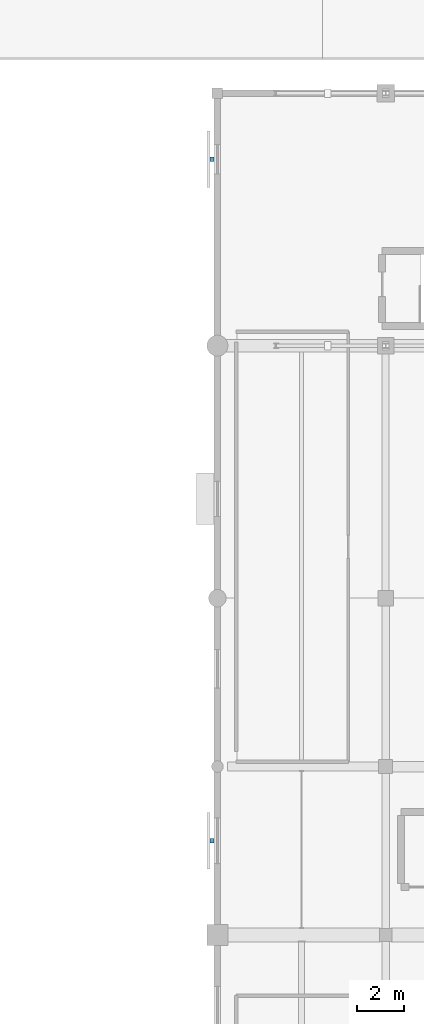
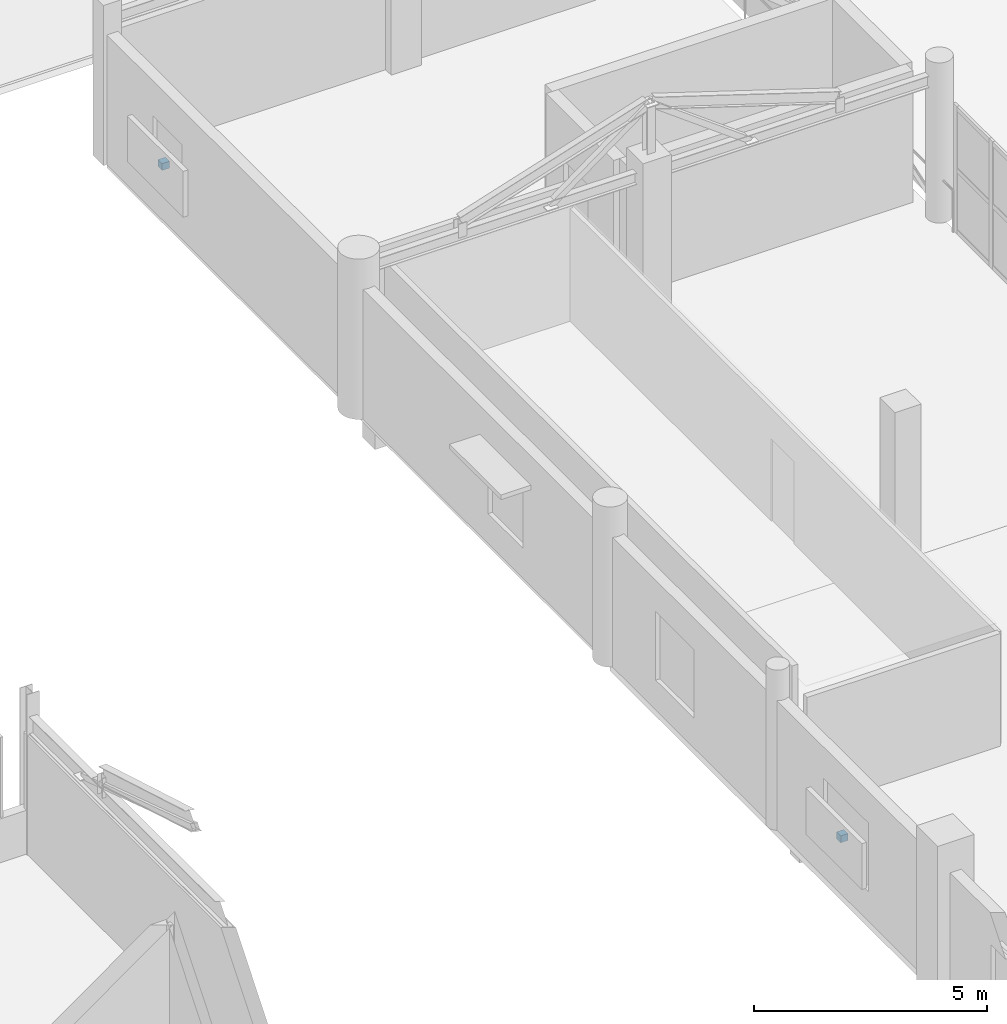
# One storey, part 80 of 90: 2 discrete accessories.
"""IFC4 building model written with IfcOpenShell, lengths in metres."""

import ifcopenshell
import ifcopenshell.guid

model = None  # the IFC model being written
_history = None  # IfcOwnerHistory: only IFC2X3 demands one
_inside = {}  # id of a spatial element -> (the spatial element, [elements in it])
_under = {}  # id of a project, library or spatial element -> (it, [spatial elements below it])
_declared = {}  # id of a project -> (the project, [libraries it declares])
_typed = {}  # id of a type object -> (the type object, [elements of that type])
_made_of = {}  # id of a material, layer set ... -> (it, [elements and type objects made of it])


def new_model(schema):
    """Start an empty IFC model of exactly this schema.

    Asked for "IFC4X3", IfcOpenShell would pick the latest addendum, in which some entities
    have other attributes; the version numbers below select the first issue.
    IFC2X3 requires an IfcOwnerHistory on every rooted entity: one is made here for all.
    """
    global model, _history
    if schema == "IFC4X3":
        model = ifcopenshell.file(schema_version=(4, 3, 0, 0))
    else:
        model = ifcopenshell.file(schema=schema)
    _inside.clear()
    _under.clear()
    _declared.clear()
    _typed.clear()
    _made_of.clear()
    _history = None
    if model.schema == "IFC2X3":
        org = make("IfcOrganization", Name="unknown")
        user = make(
            "IfcPersonAndOrganization",
            ThePerson=make("IfcPerson", FamilyName="unknown"),
            TheOrganization=org,
        )
        app = make(
            "IfcApplication",
            ApplicationDeveloper=org,
            Version="unknown",
            ApplicationFullName="unknown",
            ApplicationIdentifier="unknown",
        )
        _history = make(
            "IfcOwnerHistory",
            OwningUser=user,
            OwningApplication=app,
            ChangeAction="ADDED",
            CreationDate=0,
        )
    return model


def make(cls, **values):
    """One entity of the class cls with the attributes given. An attribute that is None is left unset."""
    return model.create_entity(
        cls, **{name: value for name, value in values.items() if value is not None}
    )


def rooted(cls, **values):
    """An entity with a GlobalId (a new one), such as an element, a storey or a relation."""
    return make(cls, GlobalId=ifcopenshell.guid.new(), OwnerHistory=_history, **values)


def si_unit(unit_type, name, prefix=None):
    """IfcSIUnit, for example si_unit("LENGTHUNIT", "METRE", prefix="MILLI")."""
    return make("IfcSIUnit", UnitType=unit_type, Prefix=prefix, Name=name)


def assignment(units):
    """IfcUnitAssignment: the units of a project."""
    return None if units is None else make("IfcUnitAssignment", Units=units)


def point(xyz):
    """IfcCartesianPoint."""
    return None if xyz is None else make("IfcCartesianPoint", Coordinates=xyz)


def direction(xyz):
    """IfcDirection."""
    return None if xyz is None else make("IfcDirection", DirectionRatios=xyz)


def frame(location, z_axis=None, x_axis=None):
    """IfcAxis2Placement3D, a coordinate frame: its origin and axes. An axis left out is left unset."""
    return make(
        "IfcAxis2Placement3D",
        Location=point(location),
        Axis=direction(z_axis),
        RefDirection=direction(x_axis),
    )


def frame_2d(location, x_axis=None):
    """IfcAxis2Placement2D, a coordinate frame in the plane: its origin and x axis."""
    return make(
        "IfcAxis2Placement2D", Location=point(location), RefDirection=direction(x_axis)
    )


def origin():
    """The frame at (0, 0, 0) with its axes left unset."""
    return frame((0.0, 0.0, 0.0))


def origin_2d():
    """The frame at (0, 0) in the plane with its x axis left unset."""
    return frame_2d((0.0, 0.0))


def place(relative_to, where):
    """IfcLocalPlacement: puts the frame where relative to a parent placement (None: the world)."""
    return make(
        "IfcLocalPlacement", PlacementRelTo=relative_to, RelativePlacement=where
    )


def context(
    kind, dimensions, precision=None, world=None, true_north=None, identifier=None
):
    """IfcGeometricRepresentationContext, for example the 3D "Model" context."""
    return make(
        "IfcGeometricRepresentationContext",
        ContextIdentifier=identifier,
        ContextType=kind,
        CoordinateSpaceDimension=dimensions,
        Precision=precision,
        WorldCoordinateSystem=world,
        TrueNorth=true_north,
    )


def subcontext(parent, identifier, kind, view, scale=None):
    """IfcGeometricRepresentationSubContext, for example "Body" below "Model"."""
    return make(
        "IfcGeometricRepresentationSubContext",
        ContextIdentifier=identifier,
        ContextType=kind,
        ParentContext=parent,
        TargetScale=scale,
        TargetView=view,
    )


def project(units=None, contexts=None):
    """IfcProject with its units and contexts."""
    return rooted(
        "IfcProject",
        Name="project",
        RepresentationContexts=contexts,
        UnitsInContext=assignment(units),
    )


def spatial(cls, under=None, at=None, **own):
    """A site, building, storey or space (cls), placed at a placement, below another one or the project."""
    s = rooted(cls, ObjectPlacement=at, **own)
    if under is not None:
        _under.setdefault(under.id(), (under, []))[1].append(s)
    return s


def profile(cls, at=None, kind="AREA", **sizes):
    """A parametric profile (cls). Its sizes go by their IFC names, for example OverallWidth=200.0."""
    return make(cls, ProfileType=kind, Position=at, **sizes)


def rectangle(**sizes):
    """IfcRectangleProfileDef."""
    return profile("IfcRectangleProfileDef", **sizes)


def extrude(swept, where, along, depth):
    """IfcExtrudedAreaSolid: the profile swept, set in the frame where, extruded along a direction by depth."""
    return make(
        "IfcExtrudedAreaSolid",
        SweptArea=swept,
        Position=where,
        ExtrudedDirection=direction(along),
        Depth=depth,
    )


def shape(context_of_items, identifier, shape_type, items):
    """IfcShapeRepresentation: the items that make up one representation, for example the "Body"."""
    return make(
        "IfcShapeRepresentation",
        ContextOfItems=context_of_items,
        RepresentationIdentifier=identifier,
        RepresentationType=shape_type,
        Items=items,
    )


def material(Name=None, Category=None):
    """IfcMaterial."""
    return make("IfcMaterial", Name=Name, Category=Category)


def made_of(thing, what):
    """Note that an element or type object is made of a material, layer set ...; save() writes the relation."""
    if what is not None:
        _made_of.setdefault(what.id(), (what, []))[1].append(thing)
    return thing


def type_object(cls, material=None, **own):
    """A type object (cls), such as IfcWallType, which elements share."""
    return made_of(rooted(cls, **own), material)


def element(
    cls,
    number,
    at=None,
    inside=None,
    cuts=None,
    type_object=None,
    material=None,
    context=None,
    identifier="Body",
    shape_type=None,
    held_by="IfcProductDefinitionShape",
    body=None,
    shapes=None,
    **own,
):
    """One element of the class cls, such as IfcWall. Its Tag is "e" and its number.

    at: its placement. inside: the storey or other place that contains it. cuts: it is an
    opening in that element (IfcRelVoidsElement). A single representation is given by context,
    identifier, shape_type and body (its items); several are given by shapes. held_by: the class
    of the entity that holds the representations. save() writes the other relations.
    """
    e = rooted(cls, Tag="e%d" % number, ObjectPlacement=at, **own)
    if body is not None:
        shapes = [shape(context, identifier, shape_type, body)]
    if shapes is not None:
        e.Representation = make(held_by, Representations=shapes)
    if inside is not None:
        _inside.setdefault(inside.id(), (inside, []))[1].append(e)
    if cuts is not None:
        rooted(
            "IfcRelVoidsElement", RelatingBuildingElement=cuts, RelatedOpeningElement=e
        )
    if type_object is not None:
        _typed.setdefault(type_object.id(), (type_object, []))[1].append(e)
    return made_of(e, material)


def aggregate(whole, parts):
    """IfcRelAggregates: a whole, such as a stair, and the parts it consists of."""
    return rooted("IfcRelAggregates", RelatingObject=whole, RelatedObjects=parts)


def save(model, path):
    """Write the relations noted so far, then the file.

    IfcRelAggregates (storeys below a building ...), IfcRelContainedInSpatialStructure (elements
    in a storey), IfcRelDefinesByType, IfcRelAssociatesMaterial and IfcRelDeclares: one each for
    every whole, place, type object, material and project.
    """
    for whole, parts in _under.values():
        aggregate(whole, parts)
    for where, things in _inside.values():
        rooted(
            "IfcRelContainedInSpatialStructure",
            RelatedElements=things,
            RelatingStructure=where,
        )
    for kind, things in _typed.values():
        rooted("IfcRelDefinesByType", RelatedObjects=things, RelatingType=kind)
    for what, things in _made_of.values():
        rooted("IfcRelAssociatesMaterial", RelatedObjects=things, RelatingMaterial=what)
    for by, libraries in _declared.values():
        rooted("IfcRelDeclares", RelatingContext=by, RelatedDefinitions=libraries)
    model.write(path)


model = new_model("IFC4")

# Units and contexts
model_context = context("Model", 3, precision=1e-05, world=origin(), true_north=direction((0.0, 1.0)))
body_context = subcontext(model_context, "Body", "Model", "MODEL_VIEW")
ifc_project = project(units=[si_unit("LENGTHUNIT", "METRE"), si_unit("AREAUNIT", "SQUARE_METRE"), si_unit("VOLUMEUNIT", "CUBIC_METRE"), si_unit("PLANEANGLEUNIT", "RADIAN"), si_unit("MASSUNIT", "GRAM", prefix="KILO")], contexts=[model_context])

# Site, building, storey
site_placement = place(None, origin())
site = spatial("IfcSite", under=ifc_project, at=site_placement, CompositionType="ELEMENT")
building_placement = place(site_placement, origin())
building = spatial("IfcBuilding", under=site, at=building_placement, Name="Solanera Park Tramway Depot", CompositionType="ELEMENT")
storey_placement = place(building_placement, frame((0.0, 0.0, 9.0)))
storey = spatial("IfcBuildingStorey", under=building, at=storey_placement, Name="L02", CompositionType="ELEMENT", Elevation=9.0)

# Discrete accessories
ifc_material = material(Name="Steel AS/NZS 3679.1 Grade 350", Category="steel")
discrete_accessory_type = type_object("IfcDiscreteAccessoryType", Name="Facade Sunshade Fixing Bracket 180x180", PredefinedType="BRACKET", material=ifc_material)
for number, where, z_axis, x_axis, name in (
    (1, (107.77001953125, 51.175048828125, 1.5400390625), (0.0, 0.0, 1.0), (0.0, -1.0, 0.0), "Jalousie Bracket #028"),
    (2, (107.77001953125, 22.02490234375, 1.58984375), (0.0, 0.0, 1.0), (0.0, -1.0, 0.0), "Jalousie Bracket #030"),
):
    element("IfcDiscreteAccessory", number, at=place(storey_placement, frame(where, z_axis=z_axis, x_axis=x_axis)), inside=storey, type_object=discrete_accessory_type, Name=name, PredefinedType="BRACKET", context=body_context, shape_type="SweptSolid", body=[
        extrude(rectangle(XDim=0.179931640625, YDim=0.179931640625, at=origin_2d()), origin(), (0.0, 0.0, 1.0), 0.179931640625),
    ])

save(model, "model.ifc")
